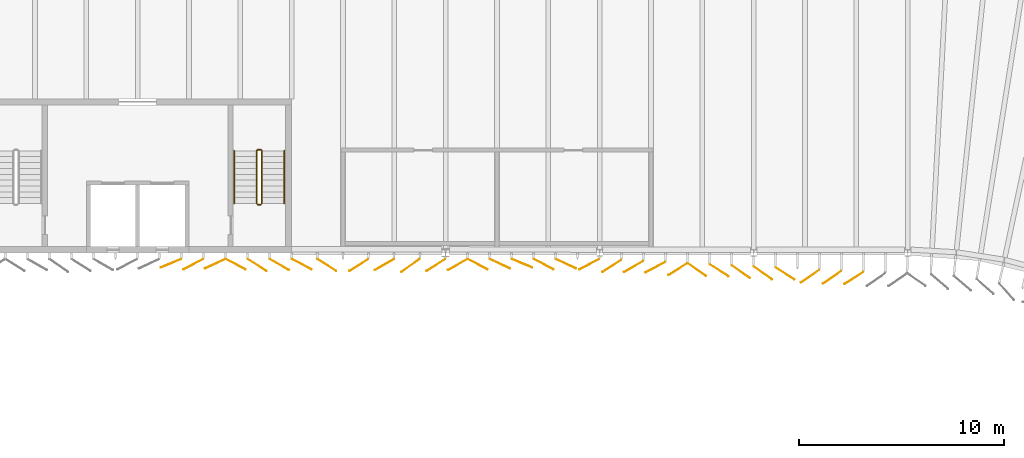
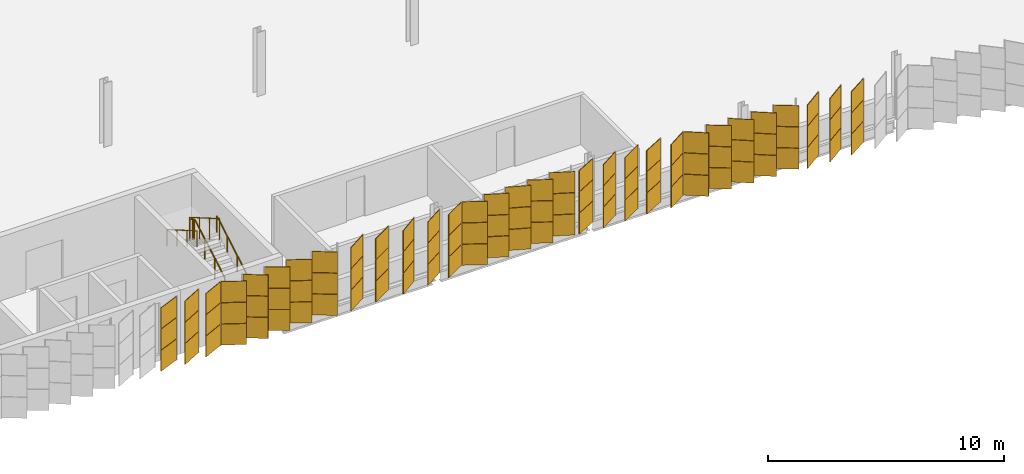
# One storey, part 207 of 214: 93 coverings, 6 railings.
"""IFC4 building model written with IfcOpenShell, lengths in metres."""

from ifc_helpers import new_model, si_unit, direction, frame, origin, origin_2d, place, context, subcontext, project, spatial, rectangle, circle, extrude, material, layer, layer_set, type_object, element, save


model = new_model("IFC4")

# Units and contexts
model_context = context("Model", 3, precision=1e-05, world=origin(), true_north=direction((0.0, 1.0)))
body_context = subcontext(model_context, "Body", "Model", "MODEL_VIEW")
ifc_project = project(units=[si_unit("LENGTHUNIT", "METRE"), si_unit("AREAUNIT", "SQUARE_METRE"), si_unit("VOLUMEUNIT", "CUBIC_METRE"), si_unit("PLANEANGLEUNIT", "RADIAN"), si_unit("MASSUNIT", "GRAM", prefix="KILO")], contexts=[model_context])

# Site, building, storey
site_placement = place(None, origin())
site = spatial("IfcSite", under=ifc_project, at=site_placement, CompositionType="ELEMENT")
building_placement = place(site_placement, origin())
building = spatial("IfcBuilding", under=site, at=building_placement, Name="Parallax Yard Mobility Hub", CompositionType="ELEMENT")
storey_placement = place(building_placement, frame((0.0, 0.0, 3.300048828125)))
storey = spatial("IfcBuildingStorey", under=building, at=storey_placement, Name="L01", CompositionType="ELEMENT", Elevation=3.300048828125)

# Coverings
ifc_material_1 = material(Name="Aluminium panel, light oak finish", Category="aluminium")
ifc_layer_1 = layer(ifc_material_1, 0.030029296875)
ifc_layer_set_1 = layer_set([ifc_layer_1], Name="Skin panel 22.5 degree turn, oak finish")
covering_type_1 = type_object("IfcCoveringType", Name="Skin panel 22.5 degree turn, oak finish", PredefinedType="CLADDING", material=ifc_layer_set_1)
for number, where, z_axis, x_axis, name in (
    (1, (136.622802734375, 111.987060546875, 1.119873046875), (0.0, 0.0, 1.0), (-0.923879532511, -0.382683432365, 0.0), "Skin panel 22.5 bay 13.9 row 2 level L01"),
    (2, (136.622802734375, 111.987060546875, 2.219970703125), (0.0, 0.0, 1.0), (-0.923879532511, -0.382683432365, 0.0), "Skin panel 22.5 bay 13.9 row 3 level L01"),
    (3, (153.721923828125, 111.987060546875, 1.119873046875), (0.0, 0.0, 1.0), (0.923879532511, -0.382683432365, 0.0), "Skin panel 22.5 bay 15.4 row 2 level L01"),
    (4, (153.721923828125, 111.987060546875, 2.219970703125), (0.0, 0.0, 1.0), (0.923879532511, -0.382683432365, 0.0), "Skin panel 22.5 bay 15.4 row 3 level L01"),
):
    element("IfcCovering", number, at=place(storey_placement, frame(where, z_axis=z_axis, x_axis=x_axis)), inside=storey, type_object=covering_type_1, Name=name, ObjectType="SCREEN", PredefinedType="CLADDING", context=body_context, shape_type="SweptSolid", body=[
        extrude(rectangle(XDim=1.080078125, YDim=0.030029296875, at=origin_2d()), origin(), (0.0, 0.0, 1.0), 1.080078125),
    ])
ifc_material_2 = material(Name="Aluminium panel, walnut finish", Category="aluminium")
ifc_layer_2 = layer(ifc_material_2, 0.030029296875)
ifc_layer_set_2 = layer_set([ifc_layer_2], Name="Skin panel 22.5 degree turn, walnut finish")
covering_type_2 = type_object("IfcCoveringType", Name="Skin panel 22.5 degree turn, walnut finish", PredefinedType="CLADDING", material=ifc_layer_set_2)
for number, where, z_axis, x_axis, name in (
    (5, (136.622802734375, 111.987060546875, 0.02001953125), (0.0, 0.0, 1.0), (-0.923879532511, -0.382683432365, 0.0), "Skin panel 22.5 bay 13.9 row 1 level L01"),
    (6, (153.721923828125, 111.987060546875, 0.02001953125), (0.0, 0.0, 1.0), (0.923879532511, -0.382683432365, 0.0), "Skin panel 22.5 bay 15.4 row 1 level L01"),
):
    element("IfcCovering", number, at=place(storey_placement, frame(where, z_axis=z_axis, x_axis=x_axis)), inside=storey, type_object=covering_type_2, Name=name, ObjectType="SCREEN", PredefinedType="CLADDING", context=body_context, shape_type="SweptSolid", body=[
        extrude(rectangle(XDim=1.080078125, YDim=0.030029296875, at=origin_2d()), origin(), (0.0, 0.0, 1.0), 1.080078125),
    ])
ifc_layer_3 = layer(ifc_material_1, 0.030029296875)
ifc_layer_set_3 = layer_set([ifc_layer_3], Name="Skin panel 25 degree turn, oak finish")
covering_type_3 = type_object("IfcCoveringType", Name="Skin panel 25 degree turn, oak finish", PredefinedType="CLADDING", material=ifc_layer_set_3)
for number, where, z_axis, x_axis, name in (
    (7, (138.777099609375, 111.96484375, 1.119873046875), (0.0, 0.0, 1.0), (-0.906307787037, -0.422618261741, 0.0), "Skin panel 25 bay 13.11 row 2 level L01"),
    (8, (138.777099609375, 111.96484375, 2.219970703125), (0.0, 0.0, 1.0), (-0.906307787037, -0.422618261741, 0.0), "Skin panel 25 bay 13.11 row 3 level L01"),
    (9, (152.640869140625, 111.96484375, 1.119873046875), (0.0, 0.0, 1.0), (0.906307787037, -0.422618261741, 0.0), "Skin panel 25 bay 15.3 row 2 level L01"),
    (10, (152.640869140625, 111.96484375, 2.219970703125), (0.0, 0.0, 1.0), (0.906307787037, -0.422618261741, 0.0), "Skin panel 25 bay 15.3 row 3 level L01"),
    (11, (155.855224609375, 111.96484375, 1.119873046875), (0.0, 0.0, 1.0), (0.906307787037, -0.422618261741, 0.0), "Skin panel 25 bay 15.6 row 2 level L01"),
    (12, (155.855224609375, 111.96484375, 2.219970703125), (0.0, 0.0, 1.0), (0.906307787037, -0.422618261741, 0.0), "Skin panel 25 bay 15.6 row 3 level L01"),
):
    element("IfcCovering", number, at=place(storey_placement, frame(where, z_axis=z_axis, x_axis=x_axis)), inside=storey, type_object=covering_type_3, Name=name, ObjectType="SCREEN", PredefinedType="CLADDING", context=body_context, shape_type="SweptSolid", body=[
        extrude(rectangle(XDim=1.080078125, YDim=0.030029296875, at=origin_2d()), origin(), (0.0, 0.0, 1.0), 1.080078125),
    ])
ifc_layer_4 = layer(ifc_material_2, 0.030029296875)
ifc_layer_set_4 = layer_set([ifc_layer_4], Name="Skin panel 25 degree turn, walnut finish")
covering_type_4 = type_object("IfcCoveringType", Name="Skin panel 25 degree turn, walnut finish", PredefinedType="CLADDING", material=ifc_layer_set_4)
for number, where, z_axis, x_axis, name in (
    (13, (138.777099609375, 111.96484375, 0.02001953125), (0.0, 0.0, 1.0), (-0.906307787037, -0.422618261741, 0.0), "Skin panel 25 bay 13.11 row 1 level L01"),
    (14, (152.640869140625, 111.96484375, 0.02001953125), (0.0, 0.0, 1.0), (0.906307787037, -0.422618261741, 0.0), "Skin panel 25 bay 15.3 row 1 level L01"),
    (15, (155.855224609375, 111.96484375, 0.02001953125), (0.0, 0.0, 1.0), (0.906307787037, -0.422618261741, 0.0), "Skin panel 25 bay 15.6 row 1 level L01"),
):
    element("IfcCovering", number, at=place(storey_placement, frame(where, z_axis=z_axis, x_axis=x_axis)), inside=storey, type_object=covering_type_4, Name=name, ObjectType="SCREEN", PredefinedType="CLADDING", context=body_context, shape_type="SweptSolid", body=[
        extrude(rectangle(XDim=1.080078125, YDim=0.030029296875, at=origin_2d()), origin(), (0.0, 0.0, 1.0), 1.080078125),
    ])
ifc_layer_5 = layer(ifc_material_1, 0.030029296875)
ifc_layer_set_5 = layer_set([ifc_layer_5], Name="Skin panel 27.5 degree turn, oak finish")
covering_type_5 = type_object("IfcCoveringType", Name="Skin panel 27.5 degree turn, oak finish", PredefinedType="CLADDING", material=ifc_layer_set_5)
for number, where, z_axis, x_axis, name in (
    (16, (137.7158203125, 111.943115234375, 1.119873046875), (0.0, 0.0, 1.0), (-0.887010833178, -0.461748613235, 0.0), "Skin panel 27.5 bay 13.10 row 2 level L01"),
    (17, (137.7158203125, 111.943115234375, 2.219970703125), (0.0, 0.0, 1.0), (-0.887010833178, -0.461748613235, 0.0), "Skin panel 27.5 bay 13.10 row 3 level L01"),
    (18, (139.77490234375, 111.943115234375, 1.119873046875), (0.0, 0.0, 1.0), (0.887010833178, -0.461748613235, 0.0), "Skin panel 27.5 bay 13.12 row 2 level L01"),
    (19, (139.77490234375, 111.943115234375, 2.219970703125), (0.0, 0.0, 1.0), (0.887010833178, -0.461748613235, 0.0), "Skin panel 27.5 bay 13.12 row 3 level L01"),
    (20, (142.991455078125, 111.943115234375, 1.119873046875), (0.0, 0.0, 1.0), (0.887010833178, -0.461748613235, 0.0), "Skin panel 27.5 bay 14.1 row 2 level L01"),
    (21, (142.991455078125, 111.943115234375, 2.219970703125), (0.0, 0.0, 1.0), (0.887010833178, -0.461748613235, 0.0), "Skin panel 27.5 bay 14.1 row 3 level L01"),
    (22, (151.55859375, 111.943115234375, 1.119873046875), (0.0, 0.0, 1.0), (0.887010833178, -0.461748613235, 0.0), "Skin panel 27.5 bay 15.2 row 2 level L01"),
    (23, (151.55859375, 111.943115234375, 2.219970703125), (0.0, 0.0, 1.0), (0.887010833178, -0.461748613235, 0.0), "Skin panel 27.5 bay 15.2 row 3 level L01"),
    (24, (154.77294921875, 111.943115234375, 1.119873046875), (0.0, 0.0, 1.0), (0.887010833178, -0.461748613235, 0.0), "Skin panel 27.5 bay 15.5 row 2 level L01"),
    (25, (154.77294921875, 111.943115234375, 2.219970703125), (0.0, 0.0, 1.0), (0.887010833178, -0.461748613235, 0.0), "Skin panel 27.5 bay 15.5 row 3 level L01"),
    (26, (157.00048828125, 111.943115234375, 1.119873046875), (0.0, 0.0, 1.0), (-0.887010833178, -0.461748613235, 0.0), "Skin panel 27.5 bay 15.7 row 2 level L01"),
    (27, (157.00048828125, 111.943115234375, 2.219970703125), (0.0, 0.0, 1.0), (-0.887010833178, -0.461748613235, 0.0), "Skin panel 27.5 bay 15.7 row 3 level L01"),
    (28, (160.215087890625, 111.794921875, 1.119873046875), (0.0, 0.0, 1.0), (-0.887010833178, -0.461748613235, 0.0), "Skin panel 27.5 bay 16.3 row 2 level L01"),
    (29, (160.215087890625, 111.794921875, 2.219970703125), (0.0, 0.0, 1.0), (-0.887010833178, -0.461748613235, 0.0), "Skin panel 27.5 bay 16.3 row 3 level L01"),
):
    element("IfcCovering", number, at=place(storey_placement, frame(where, z_axis=z_axis, x_axis=x_axis)), inside=storey, type_object=covering_type_5, Name=name, ObjectType="SCREEN", PredefinedType="CLADDING", context=body_context, shape_type="SweptSolid", body=[
        extrude(rectangle(XDim=1.080078125, YDim=0.030029296875, at=origin_2d()), origin(), (0.0, 0.0, 1.0), 1.080078125),
    ])
ifc_layer_6 = layer(ifc_material_2, 0.030029296875)
ifc_layer_set_6 = layer_set([ifc_layer_6], Name="Skin panel 27.5 degree turn, walnut finish")
covering_type_6 = type_object("IfcCoveringType", Name="Skin panel 27.5 degree turn, walnut finish", PredefinedType="CLADDING", material=ifc_layer_set_6)
for number, where, z_axis, x_axis, name in (
    (30, (137.7158203125, 111.943115234375, 0.02001953125), (0.0, 0.0, 1.0), (-0.887010833178, -0.461748613235, 0.0), "Skin panel 27.5 bay 13.10 row 1 level L01"),
    (31, (139.77490234375, 111.943115234375, 0.02001953125), (0.0, 0.0, 1.0), (0.887010833178, -0.461748613235, 0.0), "Skin panel 27.5 bay 13.12 row 1 level L01"),
    (32, (142.991455078125, 111.943115234375, 0.02001953125), (0.0, 0.0, 1.0), (0.887010833178, -0.461748613235, 0.0), "Skin panel 27.5 bay 14.1 row 1 level L01"),
    (33, (151.55859375, 111.943115234375, 0.02001953125), (0.0, 0.0, 1.0), (0.887010833178, -0.461748613235, 0.0), "Skin panel 27.5 bay 15.2 row 1 level L01"),
    (34, (154.77294921875, 111.943115234375, 0.02001953125), (0.0, 0.0, 1.0), (0.887010833178, -0.461748613235, 0.0), "Skin panel 27.5 bay 15.5 row 1 level L01"),
    (35, (157.00048828125, 111.943115234375, 0.02001953125), (0.0, 0.0, 1.0), (-0.887010833178, -0.461748613235, 0.0), "Skin panel 27.5 bay 15.7 row 1 level L01"),
    (36, (160.215087890625, 111.794921875, 0.02001953125), (0.0, 0.0, 1.0), (-0.887010833178, -0.461748613235, 0.0), "Skin panel 27.5 bay 16.3 row 1 level L01"),
):
    element("IfcCovering", number, at=place(storey_placement, frame(where, z_axis=z_axis, x_axis=x_axis)), inside=storey, type_object=covering_type_6, Name=name, ObjectType="SCREEN", PredefinedType="CLADDING", context=body_context, shape_type="SweptSolid", body=[
        extrude(rectangle(XDim=1.080078125, YDim=0.030029296875, at=origin_2d()), origin(), (0.0, 0.0, 1.0), 1.080078125),
    ])
ifc_layer_7 = layer(ifc_material_1, 0.030029296875)
ifc_layer_set_7 = layer_set([ifc_layer_7], Name="Skin panel 30 degree turn, oak finish")
covering_type_7 = type_object("IfcCoveringType", Name="Skin panel 30 degree turn, oak finish", PredefinedType="CLADDING", material=ifc_layer_set_7)
for number, where, z_axis, x_axis, name in (
    (37, (141.90771484375, 111.921875, 1.119873046875), (0.0, 0.0, 1.0), (0.866025403784, -0.5, 0.0), "Skin panel 30 bay 13.14 row 2 level L01"),
    (38, (141.90771484375, 111.921875, 2.219970703125), (0.0, 0.0, 1.0), (0.866025403784, -0.5, 0.0), "Skin panel 30 bay 13.14 row 3 level L01"),
    (39, (147.01318359375, 111.921875, 1.119873046875), (0.0, 0.0, 1.0), (-0.866025403784, -0.5, 0.0), "Skin panel 30 bay 14.4 row 2 level L01"),
    (40, (147.01318359375, 111.921875, 2.219970703125), (0.0, 0.0, 1.0), (-0.866025403784, -0.5, 0.0), "Skin panel 30 bay 14.4 row 3 level L01"),
    (41, (150.583251953125, 111.921875, 1.119873046875), (0.0, 0.0, 1.0), (-0.866025403784, -0.5, 0.0), "Skin panel 30 bay 15.1 row 2 level L01"),
    (42, (150.583251953125, 111.921875, 2.219970703125), (0.0, 0.0, 1.0), (-0.866025403784, -0.5, 0.0), "Skin panel 30 bay 15.1 row 3 level L01"),
    (43, (159.1552734375, 111.8271484375, 1.119873046875), (0.0, 0.0, 1.0), (-0.866025403784, -0.5, 0.0), "Skin panel 30 bay 16.2 row 2 level L01"),
    (44, (159.1552734375, 111.8271484375, 2.219970703125), (0.0, 0.0, 1.0), (-0.866025403784, -0.5, 0.0), "Skin panel 30 bay 16.2 row 3 level L01"),
):
    element("IfcCovering", number, at=place(storey_placement, frame(where, z_axis=z_axis, x_axis=x_axis)), inside=storey, type_object=covering_type_7, Name=name, ObjectType="SCREEN", PredefinedType="CLADDING", context=body_context, shape_type="SweptSolid", body=[
        extrude(rectangle(XDim=1.080078125, YDim=0.030029296875, at=origin_2d()), origin(), (0.0, 0.0, 1.0), 1.080078125),
    ])
ifc_layer_8 = layer(ifc_material_2, 0.030029296875)
ifc_layer_set_8 = layer_set([ifc_layer_8], Name="Skin panel 30 degree turn, walnut finish")
covering_type_8 = type_object("IfcCoveringType", Name="Skin panel 30 degree turn, walnut finish", PredefinedType="CLADDING", material=ifc_layer_set_8)
for number, where, z_axis, x_axis, name in (
    (45, (141.90771484375, 111.921875, 0.02001953125), (0.0, 0.0, 1.0), (0.866025403784, -0.5, 0.0), "Skin panel 30 bay 13.14 row 1 level L01"),
    (46, (147.01318359375, 111.921875, 0.02001953125), (0.0, 0.0, 1.0), (-0.866025403784, -0.5, 0.0), "Skin panel 30 bay 14.4 row 1 level L01"),
    (47, (150.583251953125, 111.921875, 0.02001953125), (0.0, 0.0, 1.0), (-0.866025403784, -0.5, 0.0), "Skin panel 30 bay 15.1 row 1 level L01"),
    (48, (159.1552734375, 111.8271484375, 0.02001953125), (0.0, 0.0, 1.0), (-0.866025403784, -0.5, 0.0), "Skin panel 30 bay 16.2 row 1 level L01"),
):
    element("IfcCovering", number, at=place(storey_placement, frame(where, z_axis=z_axis, x_axis=x_axis)), inside=storey, type_object=covering_type_8, Name=name, ObjectType="SCREEN", PredefinedType="CLADDING", context=body_context, shape_type="SweptSolid", body=[
        extrude(rectangle(XDim=1.080078125, YDim=0.030029296875, at=origin_2d()), origin(), (0.0, 0.0, 1.0), 1.080078125),
    ])
ifc_layer_9 = layer(ifc_material_1, 0.030029296875)
ifc_layer_set_9 = layer_set([ifc_layer_9], Name="Skin panel 32.5 degree turn, oak finish")
covering_type_9 = type_object("IfcCoveringType", Name="Skin panel 32.5 degree turn, oak finish", PredefinedType="CLADDING", material=ifc_layer_set_9)
for number, where, z_axis, x_axis, name in (
    (49, (140.82275390625, 111.901123046875, 1.119873046875), (0.0, 0.0, 1.0), (0.843391445813, -0.537299608347, 0.0), "Skin panel 32.5 bay 13.13 row 2 level L01"),
    (50, (140.82275390625, 111.901123046875, 2.219970703125), (0.0, 0.0, 1.0), (0.843391445813, -0.537299608347, 0.0), "Skin panel 32.5 bay 13.13 row 3 level L01"),
    (51, (144.216552734375, 111.901123046875, 1.119873046875), (0.0, 0.0, 1.0), (0.843391445813, -0.537299608347, 0.0), "Skin panel 32.5 bay 14.2 row 2 level L01"),
    (52, (144.216552734375, 111.901123046875, 2.219970703125), (0.0, 0.0, 1.0), (0.843391445813, -0.537299608347, 0.0), "Skin panel 32.5 bay 14.2 row 3 level L01"),
    (53, (145.776611328125, 111.901123046875, 1.119873046875), (0.0, 0.0, 1.0), (-0.843391445813, -0.537299608347, 0.0), "Skin panel 32.5 bay 14.3 row 2 level L01"),
    (54, (145.776611328125, 111.901123046875, 2.219970703125), (0.0, 0.0, 1.0), (-0.843391445813, -0.537299608347, 0.0), "Skin panel 32.5 bay 14.3 row 3 level L01"),
    (55, (149.5244140625, 111.901123046875, 1.119873046875), (0.0, 0.0, 1.0), (-0.843391445813, -0.537299608347, 0.0), "Skin panel 32.5 bay 14.6 row 2 level L01"),
    (56, (149.5244140625, 111.901123046875, 2.219970703125), (0.0, 0.0, 1.0), (-0.843391445813, -0.537299608347, 0.0), "Skin panel 32.5 bay 14.6 row 3 level L01"),
    (57, (158.09619140625, 111.860107421875, 1.119873046875), (0.0, 0.0, 1.0), (-0.843391445813, -0.537299608347, 0.0), "Skin panel 32.5 bay 16.1 row 2 level L01"),
    (58, (158.09619140625, 111.860107421875, 2.219970703125), (0.0, 0.0, 1.0), (-0.843391445813, -0.537299608347, 0.0), "Skin panel 32.5 bay 16.1 row 3 level L01"),
    (59, (161.310791015625, 111.69921875, 1.119873046875), (0.0, 0.0, 1.0), (-0.843391445813, -0.537299608347, 0.0), "Skin panel 32.5 bay 16.4 row 2 level L01"),
    (60, (161.310791015625, 111.69921875, 2.219970703125), (0.0, 0.0, 1.0), (-0.843391445813, -0.537299608347, 0.0), "Skin panel 32.5 bay 16.4 row 3 level L01"),
    (61, (163.32080078125, 111.645751953125, 1.119873046875), (0.0, 0.0, 1.0), (0.843391445813, -0.537299608347, 0.0), "Skin panel 32.5 bay 16.6 row 2 level L01"),
    (62, (163.32080078125, 111.645751953125, 2.219970703125), (0.0, 0.0, 1.0), (0.843391445813, -0.537299608347, 0.0), "Skin panel 32.5 bay 16.6 row 3 level L01"),
    (63, (166.535400390625, 111.485107421875, 1.119873046875), (0.0, 0.0, 1.0), (0.843391445813, -0.537299608347, 0.0), "Skin panel 32.5 bay 17.2 row 2 level L01"),
    (64, (166.535400390625, 111.485107421875, 2.219970703125), (0.0, 0.0, 1.0), (0.843391445813, -0.537299608347, 0.0), "Skin panel 32.5 bay 17.2 row 3 level L01"),
    (65, (169.8828125, 111.270751953125, 1.119873046875), (0.0, 0.0, 1.0), (-0.843391445813, -0.537299608347, 0.0), "Skin panel 32.5 bay 17.5 row 2 level L01"),
    (66, (169.8828125, 111.270751953125, 2.219970703125), (0.0, 0.0, 1.0), (-0.843391445813, -0.537299608347, 0.0), "Skin panel 32.5 bay 17.5 row 3 level L01"),
):
    element("IfcCovering", number, at=place(storey_placement, frame(where, z_axis=z_axis, x_axis=x_axis)), inside=storey, type_object=covering_type_9, Name=name, ObjectType="SCREEN", PredefinedType="CLADDING", context=body_context, shape_type="SweptSolid", body=[
        extrude(rectangle(XDim=1.080078125, YDim=0.030029296875, at=origin_2d()), origin(), (0.0, 0.0, 1.0), 1.080078125),
    ])
ifc_layer_10 = layer(ifc_material_2, 0.030029296875)
ifc_layer_set_10 = layer_set([ifc_layer_10], Name="Skin panel 32.5 degree turn, walnut finish")
covering_type_10 = type_object("IfcCoveringType", Name="Skin panel 32.5 degree turn, walnut finish", PredefinedType="CLADDING", material=ifc_layer_set_10)
for number, where, z_axis, x_axis, name in (
    (67, (140.82275390625, 111.901123046875, 0.02001953125), (0.0, 0.0, 1.0), (0.843391445813, -0.537299608347, 0.0), "Skin panel 32.5 bay 13.13 row 1 level L01"),
    (68, (144.216552734375, 111.901123046875, 0.02001953125), (0.0, 0.0, 1.0), (0.843391445813, -0.537299608347, 0.0), "Skin panel 32.5 bay 14.2 row 1 level L01"),
    (69, (145.776611328125, 111.901123046875, 0.02001953125), (0.0, 0.0, 1.0), (-0.843391445813, -0.537299608347, 0.0), "Skin panel 32.5 bay 14.3 row 1 level L01"),
    (70, (149.5244140625, 111.901123046875, 0.02001953125), (0.0, 0.0, 1.0), (-0.843391445813, -0.537299608347, 0.0), "Skin panel 32.5 bay 14.6 row 1 level L01"),
    (71, (158.09619140625, 111.860107421875, 0.02001953125), (0.0, 0.0, 1.0), (-0.843391445813, -0.537299608347, 0.0), "Skin panel 32.5 bay 16.1 row 1 level L01"),
    (72, (161.310791015625, 111.69921875, 0.02001953125), (0.0, 0.0, 1.0), (-0.843391445813, -0.537299608347, 0.0), "Skin panel 32.5 bay 16.4 row 1 level L01"),
    (73, (163.32080078125, 111.645751953125, 0.02001953125), (0.0, 0.0, 1.0), (0.843391445813, -0.537299608347, 0.0), "Skin panel 32.5 bay 16.6 row 1 level L01"),
    (74, (166.535400390625, 111.485107421875, 0.02001953125), (0.0, 0.0, 1.0), (0.843391445813, -0.537299608347, 0.0), "Skin panel 32.5 bay 17.2 row 1 level L01"),
    (75, (169.8828125, 111.270751953125, 0.02001953125), (0.0, 0.0, 1.0), (-0.843391445813, -0.537299608347, 0.0), "Skin panel 32.5 bay 17.5 row 1 level L01"),
):
    element("IfcCovering", number, at=place(storey_placement, frame(where, z_axis=z_axis, x_axis=x_axis)), inside=storey, type_object=covering_type_10, Name=name, ObjectType="SCREEN", PredefinedType="CLADDING", context=body_context, shape_type="SweptSolid", body=[
        extrude(rectangle(XDim=1.080078125, YDim=0.030029296875, at=origin_2d()), origin(), (0.0, 0.0, 1.0), 1.080078125),
    ])
ifc_layer_11 = layer(ifc_material_1, 0.030029296875)
ifc_layer_set_11 = layer_set([ifc_layer_11], Name="Skin panel 35 degree turn, oak finish")
covering_type_11 = type_object("IfcCoveringType", Name="Skin panel 35 degree turn, oak finish", PredefinedType="CLADDING", material=ifc_layer_set_11)
for number, where, z_axis, x_axis, name in (
    (76, (148.28857421875, 111.880859375, 1.119873046875), (0.0, 0.0, 1.0), (-0.819152044289, -0.573576436351, 0.0), "Skin panel 35 bay 14.5 row 2 level L01"),
    (77, (148.28857421875, 111.880859375, 2.219970703125), (0.0, 0.0, 1.0), (-0.819152044289, -0.573576436351, 0.0), "Skin panel 35 bay 14.5 row 3 level L01"),
    (78, (162.23583984375, 111.67919921875, 1.119873046875), (0.0, 0.0, 1.0), (0.819152044289, -0.573576436351, 0.0), "Skin panel 35 bay 16.5 row 2 level L01"),
    (79, (162.23583984375, 111.67919921875, 2.219970703125), (0.0, 0.0, 1.0), (0.819152044289, -0.573576436351, 0.0), "Skin panel 35 bay 16.5 row 3 level L01"),
    (80, (164.37890625, 111.572021484375, 1.119873046875), (0.0, 0.0, 1.0), (0.819152044289, -0.573576436351, 0.0), "Skin panel 35 bay 16.7 row 2 level L01"),
    (81, (164.37890625, 111.572021484375, 2.219970703125), (0.0, 0.0, 1.0), (0.819152044289, -0.573576436351, 0.0), "Skin panel 35 bay 16.7 row 3 level L01"),
    (82, (165.4501953125, 111.518310546875, 1.119873046875), (0.0, 0.0, 1.0), (0.819152044289, -0.573576436351, 0.0), "Skin panel 35 bay 17.1 row 2 level L01"),
    (83, (165.4501953125, 111.518310546875, 2.219970703125), (0.0, 0.0, 1.0), (0.819152044289, -0.573576436351, 0.0), "Skin panel 35 bay 17.1 row 3 level L01"),
    (84, (167.75341796875, 111.357666015625, 1.119873046875), (0.0, 0.0, 1.0), (-0.819152044289, -0.573576436351, 0.0), "Skin panel 35 bay 17.3 row 2 level L01"),
    (85, (167.75341796875, 111.357666015625, 2.219970703125), (0.0, 0.0, 1.0), (-0.819152044289, -0.573576436351, 0.0), "Skin panel 35 bay 17.3 row 3 level L01"),
    (86, (168.82470703125, 111.30419921875, 1.119873046875), (0.0, 0.0, 1.0), (-0.819152044289, -0.573576436351, 0.0), "Skin panel 35 bay 17.4 row 2 level L01"),
    (87, (168.82470703125, 111.30419921875, 2.219970703125), (0.0, 0.0, 1.0), (-0.819152044289, -0.573576436351, 0.0), "Skin panel 35 bay 17.4 row 3 level L01"),
):
    element("IfcCovering", number, at=place(storey_placement, frame(where, z_axis=z_axis, x_axis=x_axis)), inside=storey, type_object=covering_type_11, Name=name, ObjectType="SCREEN", PredefinedType="CLADDING", context=body_context, shape_type="SweptSolid", body=[
        extrude(rectangle(XDim=1.080078125, YDim=0.030029296875, at=origin_2d()), origin(), (0.0, 0.0, 1.0), 1.080078125),
    ])
ifc_layer_12 = layer(ifc_material_2, 0.030029296875)
ifc_layer_set_12 = layer_set([ifc_layer_12], Name="Skin panel 35 degree turn, walnut finish")
covering_type_12 = type_object("IfcCoveringType", Name="Skin panel 35 degree turn, walnut finish", PredefinedType="CLADDING", material=ifc_layer_set_12)
for number, where, z_axis, x_axis, name in (
    (88, (148.28857421875, 111.880859375, 0.02001953125), (0.0, 0.0, 1.0), (-0.819152044289, -0.573576436351, 0.0), "Skin panel 35 bay 14.5 row 1 level L01"),
    (89, (162.23583984375, 111.67919921875, 0.02001953125), (0.0, 0.0, 1.0), (0.819152044289, -0.573576436351, 0.0), "Skin panel 35 bay 16.5 row 1 level L01"),
    (90, (164.37890625, 111.572021484375, 0.02001953125), (0.0, 0.0, 1.0), (0.819152044289, -0.573576436351, 0.0), "Skin panel 35 bay 16.7 row 1 level L01"),
    (91, (165.4501953125, 111.518310546875, 0.02001953125), (0.0, 0.0, 1.0), (0.819152044289, -0.573576436351, 0.0), "Skin panel 35 bay 17.1 row 1 level L01"),
    (92, (167.75341796875, 111.357666015625, 0.02001953125), (0.0, 0.0, 1.0), (-0.819152044289, -0.573576436351, 0.0), "Skin panel 35 bay 17.3 row 1 level L01"),
    (93, (168.82470703125, 111.30419921875, 0.02001953125), (0.0, 0.0, 1.0), (-0.819152044289, -0.573576436351, 0.0), "Skin panel 35 bay 17.4 row 1 level L01"),
):
    element("IfcCovering", number, at=place(storey_placement, frame(where, z_axis=z_axis, x_axis=x_axis)), inside=storey, type_object=covering_type_12, Name=name, ObjectType="SCREEN", PredefinedType="CLADDING", context=body_context, shape_type="SweptSolid", body=[
        extrude(rectangle(XDim=1.080078125, YDim=0.030029296875, at=origin_2d()), origin(), (0.0, 0.0, 1.0), 1.080078125),
    ])

# Railings
ifc_material_3 = material(Name="Steel ASTM A36", Category="steel")
railing_type_1 = type_object("IfcRailingType", Name="Stair guard 1100", PredefinedType="GUARDRAIL", material=ifc_material_3)
railing_1_placement = place(storey_placement, frame((141.050048828125, 114.89990234375, 0.1650390625)))
element("IfcRailing", 94, at=railing_1_placement, inside=storey, type_object=railing_type_1, Name="L01 ST5 stair guard 1", PredefinedType="GUARDRAIL", context=body_context, shape_type="SweptSolid", body=[
    extrude(circle(Radius=0.02392578125, at=origin_2d()), frame((0.0, 0.0, 1.076171875), z_axis=(0.0, 0.865461999751, 0.500974577186), x_axis=(-1.0, 0.0, 0.0)), (0.0, 0.0, 1.0), 2.9638671875),
    extrude(circle(Radius=0.02099609375, at=origin_2d()), origin(), (0.0, 0.0, 1.0), 1.052001953125),
    extrude(circle(Radius=0.02099609375, at=origin_2d()), frame((0.0, 0.85498046875, 0.494873046875)), (0.0, 0.0, 1.0), 1.052001953125),
    extrude(circle(Radius=0.02099609375, at=origin_2d()), frame((0.0, 1.710205078125, 0.989990234375)), (0.0, 0.0, 1.0), 1.052001953125),
    extrude(circle(Radius=0.02099609375, at=origin_2d()), frame((0.0, 2.565185546875, 1.48486328125)), (0.0, 0.0, 1.0), 1.052001953125),
])
railing_2_placement = place(storey_placement, frame((141.0, 117.514892578125, 1.64990234375)))
element("IfcRailing", 95, at=railing_2_placement, inside=storey, type_object=railing_type_1, Name="L01 ST5 stair guard 2", PredefinedType="GUARDRAIL", context=body_context, shape_type="SweptSolid", body=[
    extrude(circle(Radius=0.02392578125, at=origin_2d()), frame((0.0, 0.0, 1.076171875), z_axis=(-1.0, 0.0, 0.0), x_axis=(0.0, -1.0, 0.0)), (0.0, 0.0, 1.0), 0.14990234375),
    extrude(circle(Radius=0.02099609375, at=origin_2d()), origin(), (0.0, 0.0, 1.0), 1.052001953125),
    extrude(circle(Radius=0.02099609375, at=origin_2d()), frame((-0.14990234375, 0.0, 0.0)), (0.0, 0.0, 1.0), 1.052001953125),
])
railing_3_placement = place(storey_placement, frame((140.800048828125, 117.465087890625, 1.81494140625)))
element("IfcRailing", 96, at=railing_3_placement, inside=storey, type_object=railing_type_1, Name="L01 ST5 stair guard 3", PredefinedType="GUARDRAIL", context=body_context, shape_type="SweptSolid", body=[
    extrude(circle(Radius=0.02392578125, at=origin_2d()), frame((0.0, 0.0, 1.076171875), z_axis=(0.0, -0.865426285481, 0.501036270542), x_axis=(1.0, 0.0, 0.0)), (0.0, 0.0, 1.0), 2.964111328125),
    extrude(circle(Radius=0.02099609375, at=origin_2d()), origin(), (0.0, 0.0, 1.0), 1.052001953125),
    extrude(circle(Radius=0.02099609375, at=origin_2d()), frame((0.0, -0.85498046875, 0.4951171875)), (0.0, 0.0, 1.0), 1.052001953125),
    extrude(circle(Radius=0.02099609375, at=origin_2d()), frame((0.0, -1.710205078125, 0.989990234375)), (0.0, 0.0, 1.0), 1.052001953125),
    extrude(circle(Radius=0.02099609375, at=origin_2d()), frame((0.0, -2.565185546875, 1.485107421875)), (0.0, 0.0, 1.0), 1.052001953125),
])
railing_4_placement = place(storey_placement, frame((141.0, 114.85009765625, 0.0)))
element("IfcRailing", 97, at=railing_4_placement, inside=storey, type_object=railing_type_1, Name="L01 ST5 stair guard 4", PredefinedType="GUARDRAIL", context=body_context, shape_type="SweptSolid", body=[
    extrude(circle(Radius=0.02392578125, at=origin_2d()), frame((0.0, 0.0, 1.076171875), z_axis=(-1.0, 0.0, 0.0), x_axis=(0.0, -1.0, 0.0)), (0.0, 0.0, 1.0), 0.14990234375),
    extrude(circle(Radius=0.02099609375, at=origin_2d()), origin(), (0.0, 0.0, 1.0), 1.052001953125),
    extrude(circle(Radius=0.02099609375, at=origin_2d()), frame((-0.14990234375, 0.0, 0.0)), (0.0, 0.0, 1.0), 1.052001953125),
])
railing_type_2 = type_object("IfcRailingType", Name="Stair handrail", PredefinedType="HANDRAIL", material=ifc_material_3)
railing_5_placement = place(storey_placement, frame((142.14990234375, 114.89990234375, 0.1650390625)))
element("IfcRailing", 98, at=railing_5_placement, inside=storey, type_object=railing_type_2, Name="L01 ST5 stair handrail 1", PredefinedType="HANDRAIL", context=body_context, shape_type="SweptSolid", body=[
    extrude(circle(Radius=0.02392578125, at=origin_2d()), frame((0.0, 0.0, 0.8310546875), z_axis=(0.0, 0.865461999751, 0.500974577186), x_axis=(-1.0, 0.0, 0.0)), (0.0, 0.0, 1.0), 2.9638671875),
    extrude(circle(Radius=0.02099609375, at=origin_2d()), origin(), (0.0, 0.0, 1.0), 0.806884765625),
    extrude(circle(Radius=0.02099609375, at=origin_2d()), frame((0.0, 0.85498046875, 0.494873046875)), (0.0, 0.0, 1.0), 0.806884765625),
    extrude(circle(Radius=0.02099609375, at=origin_2d()), frame((0.0, 1.710205078125, 0.989990234375)), (0.0, 0.0, 1.0), 0.806884765625),
    extrude(circle(Radius=0.02099609375, at=origin_2d()), frame((0.0, 2.565185546875, 1.48486328125)), (0.0, 0.0, 1.0), 0.806884765625),
])
railing_6_placement = place(storey_placement, frame((139.699951171875, 117.465087890625, 1.81494140625)))
element("IfcRailing", 99, at=railing_6_placement, inside=storey, type_object=railing_type_2, Name="L01 ST5 stair handrail 2", PredefinedType="HANDRAIL", context=body_context, shape_type="SweptSolid", body=[
    extrude(circle(Radius=0.02392578125, at=origin_2d()), frame((0.0, 0.0, 0.8310546875), z_axis=(0.0, -0.865426285481, 0.501036270542), x_axis=(1.0, 0.0, 0.0)), (0.0, 0.0, 1.0), 2.964111328125),
    extrude(circle(Radius=0.02099609375, at=origin_2d()), origin(), (0.0, 0.0, 1.0), 0.806884765625),
    extrude(circle(Radius=0.02099609375, at=origin_2d()), frame((0.0, -0.85498046875, 0.4951171875)), (0.0, 0.0, 1.0), 0.806884765625),
    extrude(circle(Radius=0.02099609375, at=origin_2d()), frame((0.0, -1.710205078125, 0.989990234375)), (0.0, 0.0, 1.0), 0.806884765625),
    extrude(circle(Radius=0.02099609375, at=origin_2d()), frame((0.0, -2.565185546875, 1.485107421875)), (0.0, 0.0, 1.0), 0.806884765625),
])

save(model, "model.ifc")
